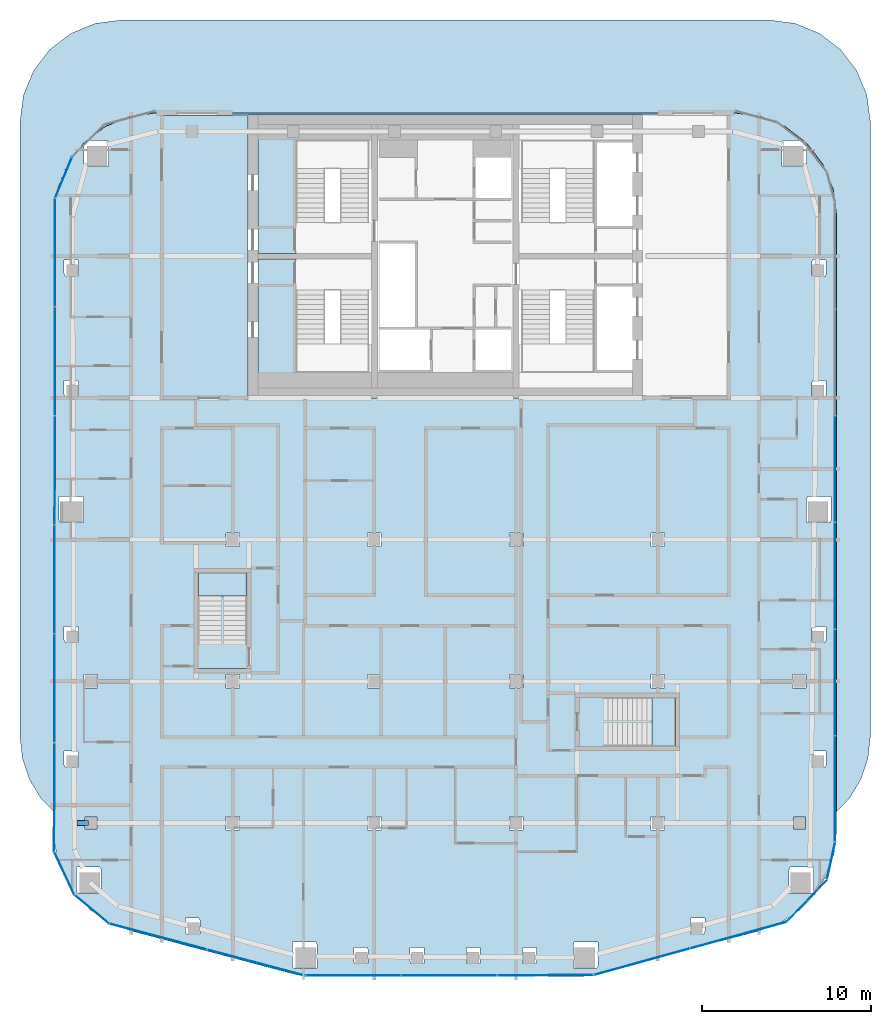
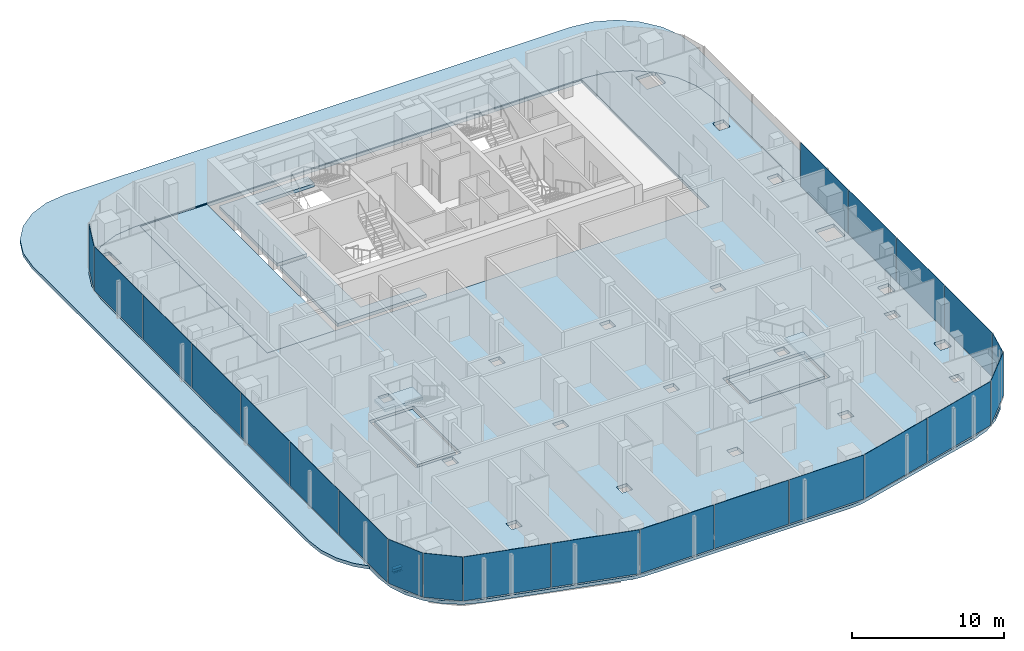
# One storey, part 12 of 21: 22 plates, 9 slabs, 1 beam, 12 elements without a shape of their own.
"""IFC4 building model written with IfcOpenShell, lengths in metres."""

from ifc_helpers import new_model, si_unit, direction, frame, origin, origin_2d, place, context, subcontext, project, spatial, polyline, rectangle, i_section, outline, extrude, material, layer, layer_set, material_profile, profile_set, type_object, element, aggregate, save


model = new_model("IFC4")

# Units and contexts
model_context = context("Model", 3, precision=1e-05, world=origin(), true_north=direction((0.0, 1.0)))
body_context = subcontext(model_context, "Body", "Model", "MODEL_VIEW")
ifc_project = project(units=[si_unit("LENGTHUNIT", "METRE"), si_unit("AREAUNIT", "SQUARE_METRE"), si_unit("VOLUMEUNIT", "CUBIC_METRE"), si_unit("PLANEANGLEUNIT", "RADIAN"), si_unit("MASSUNIT", "GRAM", prefix="KILO")], contexts=[model_context])

# Site, building, storey
site_placement = place(None, origin())
site = spatial("IfcSite", under=ifc_project, at=site_placement, CompositionType="ELEMENT")
building_placement = place(site_placement, origin())
building = spatial("IfcBuilding", under=site, at=building_placement, Name="Marenta Gate Hotel Tower", CompositionType="ELEMENT")
storey_placement = place(building_placement, frame((0.0, 0.0, 266.89990234375)))
storey = spatial("IfcBuildingStorey", under=building, at=storey_placement, Name="L61", CompositionType="ELEMENT", Elevation=266.89990234375)

# Beam
ifc_material_1 = material(Name="Steel S355", Category="steel")
ifc_material_profile = material_profile(ifc_material_1, i_section(OverallWidth=0.300048828125, OverallDepth=0.340087890625, WebThickness=0.011962890625, FlangeThickness=0.021484375, FilletRadius=0.027099609375, at=origin_2d()), Name="HEB 340")
ifc_profile_set = profile_set([ifc_material_profile], Name="Steel S355")
beam_type = type_object("IfcBeamType", Name="Girder HEB 340", PredefinedType="BEAM", material=ifc_profile_set)
beam_placement = place(storey_placement, frame((-21.828857421875, -25.199951171875, -0.429931640625), z_axis=(1.0, 0.0, 0.0), x_axis=(0.0, 1.0, 0.0)))
element("IfcBeam", 1, at=beam_placement, inside=storey, type_object=beam_type, Name="L61-GD-1", PredefinedType="BEAM", context=body_context, shape_type="SweptSolid", body=[
    extrude(i_section(OverallWidth=0.300048828125, OverallDepth=0.340087890625, WebThickness=0.011962890625, FlangeThickness=0.021484375, FilletRadius=0.027099609375, at=origin_2d()), origin(), (0.0, 0.0, 1.0), 0.67724609375),
])

# Slabs
ifc_material_2 = material(Name="Concrete C35", Category="concrete")
ifc_layer_1 = layer(ifc_material_2, 0.260009765625)
ifc_layer_set_1 = layer_set([ifc_layer_1], Name="Concrete C35")
slab_type_1 = type_object("IfcSlabType", Name="Concrete floor slab 260", PredefinedType="FLOOR", material=ifc_layer_set_1)
slab_1_placement = place(storey_placement, frame((0.0, 0.0, -0.260009765625)))
element("IfcSlab", 2, at=slab_1_placement, inside=storey, type_object=slab_type_1, Name="L61-SL-1", PredefinedType="FLOOR", context=body_context, shape_type="SweptSolid", body=[
    extrude(outline(polyline([(-21.013671875, -30.364013671875), (-21.935302734375, -29.404052734375), (-22.626953125, -28.26708984375), (-23.055419921875, -27.007080078125), (-23.199951171875, -25.689697265625), (-23.199951171875, 10.806640625), (-22.992919921875, 12.37890625), (-22.383544921875, 13.850341796875), (-21.417236328125, 15.109619140625), (-21.417236328125, 13.853271484375), (-21.36474609375, 13.71337890625), (-19.964599609375, 13.71337890625), (-19.964599609375, 15.11328125), (-20.01708984375, 15.253173828125), (-21.232421875, 15.253173828125), (-20.150390625, 16.08349609375), (-18.678955078125, 16.693115234375), (-17.1064453125, 16.89990234375), (17.1064453125, 16.89990234375), (18.678955078125, 16.693115234375), (20.150390625, 16.08349609375), (21.232421875, 15.253173828125), (20.01708984375, 15.253173828125), (19.964599609375, 15.11328125), (19.964599609375, 13.71337890625), (21.36474609375, 13.71337890625), (21.417236328125, 13.853271484375), (21.417236328125, 15.109619140625), (22.383544921875, 13.850341796875), (22.992919921875, 12.37890625), (23.199951171875, 10.806640625), (23.199951171875, -25.689697265625), (23.055419921875, -27.007080078125), (22.626953125, -28.26708984375), (21.935302734375, -29.404052734375), (21.013671875, -30.364013671875), (19.90576171875, -31.101318359375), (18.66943359375, -31.578857421875), (8.926513671875, -34.16357421875), (8.408447265625, -34.265869140625), (7.881591796875, -34.300048828125), (-7.881591796875, -34.300048828125), (-8.408447265625, -34.265869140625), (-8.926513671875, -34.16357421875), (-18.66943359375, -31.578857421875), (-19.90576171875, -31.101318359375), (-21.013671875, -30.364013671875)]), holes=[polyline([(-16.800048828125, 0.0), (16.800048828125, 0.0), (16.800048828125, 16.800048828125), (-16.800048828125, 16.800048828125), (-16.800048828125, 0.0)]), polyline([(-14.58837890625, -30.8212890625), (-15.388427734375, -30.8212890625), (-15.388427734375, -31.621337890625), (-15.3359375, -31.76123046875), (-14.535888671875, -31.76123046875), (-14.535888671875, -30.96142578125), (-14.58837890625, -30.8212890625)]), polyline([(-20.444580078125, -27.815185546875), (-21.8447265625, -27.815185546875), (-21.8447265625, -29.21533203125), (-21.792236328125, -29.355224609375), (-20.39208984375, -29.355224609375), (-20.39208984375, -27.955322265625), (-20.444580078125, -27.815185546875)]), polyline([(-20.64990234375, -24.85009765625), (-21.35009765625, -24.85009765625), (-21.35009765625, -25.550048828125), (-20.64990234375, -25.550048828125), (-20.64990234375, -24.85009765625)]), polyline([(-12.199951171875, -25.60009765625), (-12.199951171875, -24.800048828125), (-13.0, -24.800048828125), (-13.0, -25.60009765625), (-12.199951171875, -25.60009765625)]), polyline([(-21.729248046875, -21.07421875), (-21.78173828125, -20.93408203125), (-22.581787109375, -20.93408203125), (-22.581787109375, -21.734130859375), (-22.529052734375, -21.8740234375), (-21.729248046875, -21.8740234375), (-21.729248046875, -21.07421875)]), polyline([(-20.60009765625, -16.39990234375), (-21.39990234375, -16.39990234375), (-21.39990234375, -17.199951171875), (-20.60009765625, -17.199951171875), (-20.60009765625, -16.39990234375)]), polyline([(-12.199951171875, -17.199951171875), (-12.199951171875, -16.39990234375), (-13.0, -16.39990234375), (-13.0, -17.199951171875), (-12.199951171875, -17.199951171875)]), polyline([(-21.729248046875, -13.673095703125), (-21.78173828125, -13.533203125), (-22.581787109375, -13.533203125), (-22.581787109375, -14.3330078125), (-22.529052734375, -14.47314453125), (-21.729248046875, -14.47314453125), (-21.729248046875, -13.673095703125)]), polyline([(-12.199951171875, -8.0), (-13.0, -8.0), (-13.0, -8.800048828125), (-12.199951171875, -8.800048828125), (-12.199951171875, -8.0)]), polyline([(-21.42919921875, -5.97216796875), (-21.481689453125, -5.832275390625), (-22.881591796875, -5.832275390625), (-22.881591796875, -7.232177734375), (-22.8291015625, -7.372314453125), (-21.42919921875, -7.372314453125), (-21.42919921875, -5.97216796875)]), polyline([(-21.729248046875, 0.880859375), (-21.78173828125, 1.02099609375), (-22.581787109375, 1.02099609375), (-22.581787109375, 0.220947265625), (-22.529052734375, 0.0810546875), (-21.729248046875, 0.0810546875), (-21.729248046875, 0.880859375)]), polyline([(-21.78173828125, 8.174072265625), (-22.581787109375, 8.174072265625), (-22.581787109375, 7.374267578125), (-22.529052734375, 7.234130859375), (-21.729248046875, 7.234130859375), (-21.729248046875, 8.0341796875), (-21.78173828125, 8.174072265625)]), polyline([(-4.57763671875, -32.72216796875), (-4.609130859375, -32.582275390625), (-5.4091796875, -32.582275390625), (-5.4091796875, -33.38232421875), (-5.377685546875, -33.522216796875), (-4.57763671875, -33.522216796875), (-4.57763671875, -32.72216796875)]), polyline([(-1.269775390625, -32.582275390625), (-2.06982421875, -32.582275390625), (-2.06982421875, -33.38232421875), (-2.059326171875, -33.522216796875), (-1.25927734375, -33.522216796875), (-1.25927734375, -32.72216796875), (-1.269775390625, -32.582275390625)]), polyline([(2.06982421875, -33.38232421875), (2.06982421875, -32.582275390625), (1.269775390625, -32.582275390625), (1.25927734375, -32.72216796875), (1.25927734375, -33.522216796875), (2.059326171875, -33.522216796875), (2.06982421875, -33.38232421875)]), polyline([(5.4091796875, -33.38232421875), (5.4091796875, -32.582275390625), (4.609130859375, -32.582275390625), (4.57763671875, -32.72216796875), (4.57763671875, -33.522216796875), (5.377685546875, -33.522216796875), (5.4091796875, -33.38232421875)]), polyline([(-7.64794921875, -32.257080078125), (-9.0478515625, -32.257080078125), (-9.0478515625, -33.656982421875), (-8.995361328125, -33.797119140625), (-7.595458984375, -33.797119140625), (-7.595458984375, -32.39697265625), (-7.64794921875, -32.257080078125)]), polyline([(9.0478515625, -33.656982421875), (9.0478515625, -32.257080078125), (7.64794921875, -32.257080078125), (7.595458984375, -32.39697265625), (7.595458984375, -33.797119140625), (8.995361328125, -33.797119140625), (9.0478515625, -33.656982421875)]), polyline([(-3.800048828125, -25.60009765625), (-3.800048828125, -24.800048828125), (-4.60009765625, -24.800048828125), (-4.60009765625, -25.60009765625), (-3.800048828125, -25.60009765625)]), polyline([(4.60009765625, -24.800048828125), (3.800048828125, -24.800048828125), (3.800048828125, -25.60009765625), (4.60009765625, -25.60009765625), (4.60009765625, -24.800048828125)]), polyline([(-3.800048828125, -16.39990234375), (-4.60009765625, -16.39990234375), (-4.60009765625, -17.199951171875), (-3.800048828125, -17.199951171875), (-3.800048828125, -16.39990234375)]), polyline([(4.60009765625, -16.39990234375), (3.800048828125, -16.39990234375), (3.800048828125, -17.199951171875), (4.60009765625, -17.199951171875), (4.60009765625, -16.39990234375)]), polyline([(-3.800048828125, -8.800048828125), (-3.800048828125, -8.0), (-4.60009765625, -8.0), (-4.60009765625, -8.800048828125), (-3.800048828125, -8.800048828125)]), polyline([(4.60009765625, -8.800048828125), (4.60009765625, -8.0), (3.800048828125, -8.0), (3.800048828125, -8.800048828125), (4.60009765625, -8.800048828125)]), polyline([(15.388427734375, -30.8212890625), (14.58837890625, -30.8212890625), (14.535888671875, -30.96142578125), (14.535888671875, -31.76123046875), (15.3359375, -31.76123046875), (15.388427734375, -31.621337890625), (15.388427734375, -30.8212890625)]), polyline([(21.8447265625, -29.21533203125), (21.8447265625, -27.815185546875), (20.444580078125, -27.815185546875), (20.39208984375, -27.955322265625), (20.39208984375, -29.355224609375), (21.792236328125, -29.355224609375), (21.8447265625, -29.21533203125)]), polyline([(13.0, -25.60009765625), (13.0, -24.800048828125), (12.199951171875, -24.800048828125), (12.199951171875, -25.60009765625), (13.0, -25.60009765625)]), polyline([(21.35009765625, -24.85009765625), (20.64990234375, -24.85009765625), (20.64990234375, -25.550048828125), (21.35009765625, -25.550048828125), (21.35009765625, -24.85009765625)]), polyline([(22.581787109375, -20.93408203125), (21.78173828125, -20.93408203125), (21.729248046875, -21.07421875), (21.729248046875, -21.8740234375), (22.529052734375, -21.8740234375), (22.581787109375, -21.734130859375), (22.581787109375, -20.93408203125)]), polyline([(13.0, -16.39990234375), (12.199951171875, -16.39990234375), (12.199951171875, -17.199951171875), (13.0, -17.199951171875), (13.0, -16.39990234375)]), polyline([(21.39990234375, -17.199951171875), (21.39990234375, -16.39990234375), (20.60009765625, -16.39990234375), (20.60009765625, -17.199951171875), (21.39990234375, -17.199951171875)]), polyline([(22.581787109375, -14.3330078125), (22.581787109375, -13.533203125), (21.78173828125, -13.533203125), (21.729248046875, -13.673095703125), (21.729248046875, -14.47314453125), (22.529052734375, -14.47314453125), (22.581787109375, -14.3330078125)]), polyline([(13.0, -8.0), (12.199951171875, -8.0), (12.199951171875, -8.800048828125), (13.0, -8.800048828125), (13.0, -8.0)]), polyline([(22.881591796875, -7.232177734375), (22.881591796875, -5.832275390625), (21.481689453125, -5.832275390625), (21.42919921875, -5.97216796875), (21.42919921875, -7.372314453125), (22.8291015625, -7.372314453125), (22.881591796875, -7.232177734375)]), polyline([(22.581787109375, 0.220947265625), (22.581787109375, 1.02099609375), (21.78173828125, 1.02099609375), (21.729248046875, 0.880859375), (21.729248046875, 0.0810546875), (22.529052734375, 0.0810546875), (22.581787109375, 0.220947265625)]), polyline([(22.581787109375, 8.174072265625), (21.78173828125, 8.174072265625), (21.729248046875, 8.0341796875), (21.729248046875, 7.234130859375), (22.529052734375, 7.234130859375), (22.581787109375, 7.374267578125), (22.581787109375, 8.174072265625)]), polyline([(13.89990234375, -20.89990234375), (13.89990234375, -17.5), (7.699951171875, -17.5), (7.699951171875, -20.89990234375), (13.89990234375, -20.89990234375)]), polyline([(-11.5, -16.300048828125), (-11.5, -10.10009765625), (-14.89990234375, -10.10009765625), (-14.89990234375, -16.300048828125), (-11.5, -16.300048828125)])]), origin(), (0.0, 0.0, 1.0), 0.260009765625),
])
ifc_material_3 = material(Name="Concrete C40", Category="concrete")
ifc_layer_2 = layer(ifc_material_3, 0.260009765625)
ifc_layer_set_2 = layer_set([ifc_layer_2], Name="Concrete C40")
slab_type_2 = type_object("IfcSlabType", Name="Core floor slab 260", PredefinedType="FLOOR", material=ifc_layer_set_2)
slab_2_placement = place(storey_placement, frame((0.0, 0.0, -0.260009765625)))
element("IfcSlab", 3, at=slab_2_placement, inside=storey, type_object=slab_type_2, Name="L61-CF-5", PredefinedType="FLOOR", context=body_context, shape_type="SweptSolid", body=[
    extrude(outline(polyline([(-8.85009765625, 1.5), (-4.375, 1.5), (-4.375, 0.60009765625), (-11.10009765625, 0.60009765625), (-11.10009765625, 8.22509765625), (-8.85009765625, 8.22509765625), (-8.85009765625, 8.10009765625), (-8.85009765625, 6.39990234375), (-8.85009765625, 1.5)])), origin(), (0.0, 0.0, 1.0), 0.260009765625),
])
slab_3_placement = place(storey_placement, frame((0.0, 0.0, -0.260009765625)))
element("IfcSlab", 4, at=slab_3_placement, inside=storey, type_object=slab_type_2, Name="L61-CF-6", PredefinedType="FLOOR", context=body_context, shape_type="SweptSolid", body=[
    extrude(outline(polyline([(-8.85009765625, 15.300048828125), (-8.85009765625, 10.39990234375), (-8.85009765625, 8.699951171875), (-8.85009765625, 8.574951171875), (-11.10009765625, 8.574951171875), (-11.10009765625, 16.199951171875), (-4.375, 16.199951171875), (-4.375, 15.300048828125), (-8.85009765625, 15.300048828125)])), origin(), (0.0, 0.0, 1.0), 0.260009765625),
])
slab_4_placement = place(storey_placement, frame((0.0, 0.0, -0.260009765625)))
element("IfcSlab", 5, at=slab_4_placement, inside=storey, type_object=slab_type_2, Name="L61-CF-7", PredefinedType="FLOOR", context=body_context, shape_type="SweptSolid", body=[
    extrude(outline(polyline([(-16.800048828125, 0.0), (-16.800048828125, 16.75), (-11.699951171875, 16.75), (-11.699951171875, 0.0), (-16.800048828125, 0.0)])), origin(), (0.0, 0.0, 1.0), 0.260009765625),
])

# Curtain wall, plate
ifc_material_4 = material(Name="Tinted insulated glass in bronze anodised frame", Category="glass")
ifc_layer_3 = layer(ifc_material_4, 0.1201171875)
ifc_layer_set_3 = layer_set([ifc_layer_3], Name="Tinted insulated glass in bronze anodised frame")
curtain_wall_type = type_object("IfcCurtainWallType", Name="Tower unitised curtain wall CW1", PredefinedType="NOTDEFINED", material=ifc_layer_set_3)
curtain_wall_1_placement = place(storey_placement, origin())
curtain_wall_1 = element("IfcCurtainWall", 6, at=curtain_wall_1_placement, inside=storey, type_object=curtain_wall_type, Name="CW1 run G02", PredefinedType="NOTDEFINED")
ifc_material_5 = material(Name="Tinted insulated glass", Category="glass")
ifc_layer_4 = layer(ifc_material_5, 0.028076171875)
ifc_layer_set_4 = layer_set([ifc_layer_4], Name="Tinted insulated glass")
plate_type = type_object("IfcPlateType", Name="Glass panel CW1 28 mm tinted insulated unit", PredefinedType="CURTAIN_PANEL", material=ifc_layer_set_4)
plate_1_placement = place(storey_placement, frame((-22.619384765625, 13.055908203125, 0.06005859375), z_axis=(0.0, 0.0, 1.0), x_axis=(-0.382666772044, -0.923886433266, 0.0)))
plate_1 = element("IfcPlate", 7, at=plate_1_placement, type_object=plate_type, Name="CW1 panel 1.1", PredefinedType="CURTAIN_PANEL", context=body_context, shape_type="SweptSolid", body=[
    extrude(rectangle(XDim=2.57568359375, YDim=0.028076171875, at=origin_2d()), origin(), (0.0, 0.0, 1.0), 3.5400390625),
])
aggregate(curtain_wall_1, [plate_1])

# Curtain wall, plates
curtain_wall_2_placement = place(storey_placement, origin())
curtain_wall_2 = element("IfcCurtainWall", 8, at=curtain_wall_2_placement, inside=storey, type_object=curtain_wall_type, Name="CW1 run G03", PredefinedType="NOTDEFINED")
plate_2_placement = place(storey_placement, frame((-23.117431640625, 8.62109375, 0.06005859375), z_axis=(0.0, 0.0, 1.0), x_axis=(-0.001566045546, -0.99999877375, 0.0)))
plate_2 = element("IfcPlate", 9, at=plate_2_placement, type_object=plate_type, Name="CW1 panel 1.1", PredefinedType="CURTAIN_PANEL", context=body_context, shape_type="SweptSolid", body=[
    extrude(rectangle(XDim=6.3701171875, YDim=0.028076171875, at=origin_2d()), origin(), (0.0, 0.0, 1.0), 3.5400390625),
])
plate_3_placement = place(storey_placement, frame((-23.12744140625, 2.17626953125, 0.06005859375), z_axis=(0.0, 0.0, 1.0), x_axis=(-0.001566045546, -0.99999877375, 0.0)))
plate_3 = element("IfcPlate", 10, at=plate_3_placement, type_object=plate_type, Name="CW1 panel 2.1", PredefinedType="CURTAIN_PANEL", context=body_context, shape_type="SweptSolid", body=[
    extrude(rectangle(XDim=6.39990234375, YDim=0.028076171875, at=origin_2d()), origin(), (0.0, 0.0, 1.0), 3.5400390625),
])
plate_4_placement = place(storey_placement, frame((-23.1376953125, -4.28369140625, 0.06005859375), z_axis=(0.0, 0.0, 1.0), x_axis=(-0.001566045546, -0.99999877375, 0.0)))
plate_4 = element("IfcPlate", 11, at=plate_4_placement, type_object=plate_type, Name="CW1 panel 3.1", PredefinedType="CURTAIN_PANEL", context=body_context, shape_type="SweptSolid", body=[
    extrude(rectangle(XDim=6.39990234375, YDim=0.028076171875, at=origin_2d()), origin(), (0.0, 0.0, 1.0), 3.5400390625),
])
plate_5_placement = place(storey_placement, frame((-23.147705078125, -10.743896484375, 0.06005859375), z_axis=(0.0, 0.0, 1.0), x_axis=(-0.001566045546, -0.99999877375, 0.0)))
plate_5 = element("IfcPlate", 12, at=plate_5_placement, type_object=plate_type, Name="CW1 panel 4.1", PredefinedType="CURTAIN_PANEL", context=body_context, shape_type="SweptSolid", body=[
    extrude(rectangle(XDim=6.39990234375, YDim=0.028076171875, at=origin_2d()), origin(), (0.0, 0.0, 1.0), 3.5400390625),
])
plate_6_placement = place(storey_placement, frame((-23.15771484375, -17.203857421875, 0.06005859375), z_axis=(0.0, 0.0, 1.0), x_axis=(-0.001566045546, -0.99999877375, 0.0)))
plate_6 = element("IfcPlate", 13, at=plate_6_placement, type_object=plate_type, Name="CW1 panel 5.1", PredefinedType="CURTAIN_PANEL", context=body_context, shape_type="SweptSolid", body=[
    extrude(rectangle(XDim=6.39990234375, YDim=0.028076171875, at=origin_2d()), origin(), (0.0, 0.0, 1.0), 3.5400390625),
])
plate_7_placement = place(storey_placement, frame((-23.16796875, -23.6787109375, 0.06005859375), z_axis=(0.0, 0.0, 1.0), x_axis=(-0.001566045546, -0.99999877375, 0.0)))
plate_7 = element("IfcPlate", 14, at=plate_7_placement, type_object=plate_type, Name="CW1 panel 6.1", PredefinedType="CURTAIN_PANEL", context=body_context, shape_type="SweptSolid", body=[
    extrude(rectangle(XDim=6.429931640625, YDim=0.028076171875, at=origin_2d()), origin(), (0.0, 0.0, 1.0), 3.5400390625),
])
aggregate(curtain_wall_2, [plate_2, plate_3, plate_4, plate_5, plate_6, plate_7])

# Curtain wall, plate
curtain_wall_3_placement = place(storey_placement, origin())
curtain_wall_3 = element("IfcCurtainWall", 15, at=curtain_wall_3_placement, inside=storey, type_object=curtain_wall_type, Name="CW1 run G04", PredefinedType="NOTDEFINED")
plate_8_placement = place(storey_placement, frame((-22.565185546875, -28.1943359375, 0.06005859375), z_axis=(0.0, 0.0, 1.0), x_axis=(0.42333719762, -0.905972194447, 0.0)))
plate_8 = element("IfcPlate", 16, at=plate_8_placement, type_object=plate_type, Name="CW1 panel 1.1", PredefinedType="CURTAIN_PANEL", context=body_context, shape_type="SweptSolid", body=[
    extrude(rectangle(XDim=2.751220703125, YDim=0.028076171875, at=origin_2d()), origin(), (0.0, 0.0, 1.0), 3.5400390625),
])
aggregate(curtain_wall_3, [plate_8])

curtain_wall_4_placement = place(storey_placement, origin())
curtain_wall_4 = element("IfcCurtainWall", 17, at=curtain_wall_4_placement, inside=storey, type_object=curtain_wall_type, Name="CW1 run G05", PredefinedType="NOTDEFINED")
plate_9_placement = place(storey_placement, frame((-20.93603515625, -30.316162109375, 0.06005859375), z_axis=(0.0, 0.0, 1.0), x_axis=(0.767102345594, -0.641524739495, 0.0)))
plate_9 = element("IfcPlate", 18, at=plate_9_placement, type_object=plate_type, Name="CW1 panel 1.1", PredefinedType="CURTAIN_PANEL", context=body_context, shape_type="SweptSolid", body=[
    extrude(rectangle(XDim=2.609375, YDim=0.028076171875, at=origin_2d()), origin(), (0.0, 0.0, 1.0), 3.5400390625),
])
aggregate(curtain_wall_4, [plate_9])

# Curtain wall, plates
curtain_wall_5_placement = place(storey_placement, origin())
curtain_wall_5 = element("IfcCurtainWall", 19, at=curtain_wall_5_placement, inside=storey, type_object=curtain_wall_type, Name="CW1 run G06", PredefinedType="NOTDEFINED")
plate_10_placement = place(storey_placement, frame((-17.013427734375, -31.930419921875, 0.06005859375), z_axis=(0.0, 0.0, 1.0), x_axis=(0.966375890775, -0.257133501765, 0.0)))
plate_10 = element("IfcPlate", 20, at=plate_10_placement, type_object=plate_type, Name="CW1 panel 1.1", PredefinedType="CURTAIN_PANEL", context=body_context, shape_type="SweptSolid", body=[
    extrude(rectangle(XDim=5.927001953125, YDim=0.028076171875, at=origin_2d()), origin(), (0.0, 0.0, 1.0), 3.5400390625),
])
plate_11_placement = place(storey_placement, frame((-11.198974609375, -33.477783203125, 0.06005859375), z_axis=(0.0, 0.0, 1.0), x_axis=(0.966375890775, -0.257133501765, 0.0)))
plate_11 = element("IfcPlate", 21, at=plate_11_placement, type_object=plate_type, Name="CW1 panel 2.1", PredefinedType="CURTAIN_PANEL", context=body_context, shape_type="SweptSolid", body=[
    extrude(rectangle(XDim=5.98681640625, YDim=0.028076171875, at=origin_2d()), origin(), (0.0, 0.0, 1.0), 3.5400390625),
])
aggregate(curtain_wall_5, [plate_10, plate_11])

curtain_wall_6_placement = place(storey_placement, origin())
curtain_wall_6 = element("IfcCurtainWall", 22, at=curtain_wall_6_placement, inside=storey, type_object=curtain_wall_type, Name="CW1 run G07", PredefinedType="NOTDEFINED")
plate_12_placement = place(storey_placement, frame((-5.4443359375, -34.241455078125, 0.06005859375), z_axis=(0.0, 0.0, 1.0), x_axis=(0.99999786459, 0.002066595127, 0.0)))
plate_12 = element("IfcPlate", 23, at=plate_12_placement, type_object=plate_type, Name="CW1 panel 1.1", PredefinedType="CURTAIN_PANEL", context=body_context, shape_type="SweptSolid", body=[
    extrude(rectangle(XDim=5.603759765625, YDim=0.028076171875, at=origin_2d()), origin(), (0.0, 0.0, 1.0), 3.5400390625),
])
plate_13_placement = place(storey_placement, frame((0.234619140625, -34.229736328125, 0.06005859375), z_axis=(0.0, 0.0, 1.0), x_axis=(0.99999786459, 0.002066595127, 0.0)))
plate_13 = element("IfcPlate", 24, at=plate_13_placement, type_object=plate_type, Name="CW1 panel 2.1", PredefinedType="CURTAIN_PANEL", context=body_context, shape_type="SweptSolid", body=[
    extrude(rectangle(XDim=5.6337890625, YDim=0.028076171875, at=origin_2d()), origin(), (0.0, 0.0, 1.0), 3.5400390625),
])
plate_14_placement = place(storey_placement, frame((5.943115234375, -34.218017578125, 0.06005859375), z_axis=(0.0, 0.0, 1.0), x_axis=(0.99999786459, 0.002066595127, 0.0)))
plate_14 = element("IfcPlate", 25, at=plate_14_placement, type_object=plate_type, Name="CW1 panel 3.1", PredefinedType="CURTAIN_PANEL", context=body_context, shape_type="SweptSolid", body=[
    extrude(rectangle(XDim=5.663818359375, YDim=0.028076171875, at=origin_2d()), origin(), (0.0, 0.0, 1.0), 3.5400390625),
])
aggregate(curtain_wall_6, [plate_12, plate_13, plate_14])

curtain_wall_7_placement = place(storey_placement, origin())
curtain_wall_7 = element("IfcCurtainWall", 26, at=curtain_wall_7_placement, inside=storey, type_object=curtain_wall_type, Name="CW1 run G08", PredefinedType="NOTDEFINED")
plate_15_placement = place(storey_placement, frame((11.652099609375, -33.42041015625, 0.06005859375), z_axis=(0.0, 0.0, 1.0), x_axis=(0.964168083707, 0.265292115151, 0.0)))
plate_15 = element("IfcPlate", 27, at=plate_15_placement, type_object=plate_type, Name="CW1 panel 1.1", PredefinedType="CURTAIN_PANEL", context=body_context, shape_type="SweptSolid", body=[
    extrude(rectangle(XDim=5.84765625, YDim=0.028076171875, at=origin_2d()), origin(), (0.0, 0.0, 1.0), 3.5400390625),
])
plate_16_placement = place(storey_placement, frame((17.376708984375, -31.84521484375, 0.06005859375), z_axis=(0.0, 0.0, 1.0), x_axis=(0.964168083707, 0.265292115151, 0.0)))
plate_16 = element("IfcPlate", 28, at=plate_16_placement, type_object=plate_type, Name="CW1 panel 2.1", PredefinedType="CURTAIN_PANEL", context=body_context, shape_type="SweptSolid", body=[
    extrude(rectangle(XDim=5.90771484375, YDim=0.028076171875, at=origin_2d()), origin(), (0.0, 0.0, 1.0), 3.5400390625),
])
aggregate(curtain_wall_7, [plate_15, plate_16])

# Curtain wall, plate
curtain_wall_8_placement = place(storey_placement, origin())
curtain_wall_8 = element("IfcCurtainWall", 29, at=curtain_wall_8_placement, inside=storey, type_object=curtain_wall_type, Name="CW1 run G09", PredefinedType="NOTDEFINED")
plate_17_placement = place(storey_placement, frame((21.443359375, -29.79248046875, 0.06005859375), z_axis=(0.0, 0.0, 1.0), x_axis=(0.692548076564, 0.72137172224, 0.0)))
plate_17 = element("IfcPlate", 30, at=plate_17_placement, type_object=plate_type, Name="CW1 panel 1.1", PredefinedType="CURTAIN_PANEL", context=body_context, shape_type="SweptSolid", body=[
    extrude(rectangle(XDim=3.39892578125, YDim=0.028076171875, at=origin_2d()), origin(), (0.0, 0.0, 1.0), 3.5400390625),
])
aggregate(curtain_wall_8, [plate_17])

curtain_wall_9_placement = place(storey_placement, origin())
curtain_wall_9 = element("IfcCurtainWall", 31, at=curtain_wall_9_placement, inside=storey, type_object=curtain_wall_type, Name="CW1 run G10", PredefinedType="NOTDEFINED")
plate_18_placement = place(storey_placement, frame((22.873779296875, -27.42578125, 0.06005859375), z_axis=(0.0, 0.0, 1.0), x_axis=(0.216842096529, 0.97620669183, 0.0)))
plate_18 = element("IfcPlate", 32, at=plate_18_placement, type_object=plate_type, Name="CW1 panel 1.1", PredefinedType="CURTAIN_PANEL", context=body_context, shape_type="SweptSolid", body=[
    extrude(rectangle(XDim=2.216796875, YDim=0.028076171875, at=origin_2d()), origin(), (0.0, 0.0, 1.0), 3.5400390625),
])
aggregate(curtain_wall_9, [plate_18])

# Curtain wall, plates
curtain_wall_10_placement = place(storey_placement, origin())
curtain_wall_10 = element("IfcCurtainWall", 33, at=curtain_wall_10_placement, inside=storey, type_object=curtain_wall_type, Name="CW1 run G11", PredefinedType="NOTDEFINED")
plate_19_placement = place(storey_placement, frame((23.114013671875, -23.16748046875, 0.06005859375), z_axis=(0.0, 0.0, 1.0), x_axis=(0.0, 1.0, 0.0)))
plate_19 = element("IfcPlate", 34, at=plate_19_placement, type_object=plate_type, Name="CW1 panel 1.1", PredefinedType="CURTAIN_PANEL", context=body_context, shape_type="SweptSolid", body=[
    extrude(rectangle(XDim=6.232666015625, YDim=0.028076171875, at=origin_2d()), origin(), (0.0, 0.0, 1.0), 3.5400390625),
])
plate_20_placement = place(storey_placement, frame((23.114013671875, -16.85986328125, 0.06005859375), z_axis=(0.0, 0.0, 1.0), x_axis=(0.0, 1.0, 0.0)))
plate_20 = element("IfcPlate", 35, at=plate_20_placement, type_object=plate_type, Name="CW1 panel 2.1", PredefinedType="CURTAIN_PANEL", context=body_context, shape_type="SweptSolid", body=[
    extrude(rectangle(XDim=6.2626953125, YDim=0.028076171875, at=origin_2d()), origin(), (0.0, 0.0, 1.0), 3.5400390625),
])
plate_21_placement = place(storey_placement, frame((23.114013671875, -10.537353515625, 0.06005859375), z_axis=(0.0, 0.0, 1.0), x_axis=(0.0, 1.0, 0.0)))
plate_21 = element("IfcPlate", 36, at=plate_21_placement, type_object=plate_type, Name="CW1 panel 3.1", PredefinedType="CURTAIN_PANEL", context=body_context, shape_type="SweptSolid", body=[
    extrude(rectangle(XDim=6.2626953125, YDim=0.028076171875, at=origin_2d()), origin(), (0.0, 0.0, 1.0), 3.5400390625),
])
plate_22_placement = place(storey_placement, frame((23.114013671875, -4.214599609375, 0.06005859375), z_axis=(0.0, 0.0, 1.0), x_axis=(0.0, 1.0, 0.0)))
plate_22 = element("IfcPlate", 37, at=plate_22_placement, type_object=plate_type, Name="CW1 panel 4.1", PredefinedType="CURTAIN_PANEL", context=body_context, shape_type="SweptSolid", body=[
    extrude(rectangle(XDim=6.2626953125, YDim=0.028076171875, at=origin_2d()), origin(), (0.0, 0.0, 1.0), 3.5400390625),
])
aggregate(curtain_wall_10, [plate_19, plate_20, plate_21, plate_22])

# Stair, slab
ifc_material_6 = material(Name="Concrete C40", Category="concrete")
stair_type = type_object("IfcStairType", Name="Remote exit stair 1400 wide", PredefinedType="HALF_TURN_STAIR", material=ifc_material_6)
stair_1_placement = place(storey_placement, origin())
stair_1 = element("IfcStair", 38, at=stair_1_placement, inside=storey, type_object=stair_type, Name="Exit stair RS-Z4-1", PredefinedType="HALF_TURN_STAIR")
ifc_material_7 = material(Name="Concrete C40", Category="concrete")
ifc_layer_5 = layer(ifc_material_7, 0.199951171875)
ifc_layer_set_5 = layer_set([ifc_layer_5], Name="Concrete C40")
slab_type_3 = type_object("IfcSlabType", Name="Remote stair landing 200", PredefinedType="LANDING", material=ifc_layer_set_5)
slab_5_placement = place(storey_placement, frame((0.0, 0.0, 1.60009765625)))
slab_5 = element("IfcSlab", 39, at=slab_5_placement, type_object=slab_type_3, Name="RL-200 RS-Z4-1 landing 1", PredefinedType="LANDING", context=body_context, shape_type="SweptSolid", body=[
    extrude(outline(polyline([(12.25, -20.64990234375), (13.64990234375, -20.64990234375), (13.64990234375, -17.75), (12.25, -17.75), (12.25, -20.64990234375)])), origin(), (0.0, 0.0, 1.0), 0.199951171875),
])
aggregate(stair_1, [slab_5])

stair_2_placement = place(storey_placement, origin())
stair_2 = element("IfcStair", 40, at=stair_2_placement, inside=storey, type_object=stair_type, Name="Exit stair RS-Z4-2", PredefinedType="HALF_TURN_STAIR")
slab_6_placement = place(storey_placement, frame((0.0, 0.0, 1.60009765625)))
slab_6 = element("IfcSlab", 41, at=slab_6_placement, type_object=slab_type_3, Name="RL-200 RS-Z4-2 landing 1", PredefinedType="LANDING", context=body_context, shape_type="SweptSolid", body=[
    extrude(outline(polyline([(-14.64990234375, -11.75), (-11.75, -11.75), (-11.75, -10.35009765625), (-14.64990234375, -10.35009765625), (-14.64990234375, -11.75)])), origin(), (0.0, 0.0, 1.0), 0.199951171875),
])
aggregate(stair_2, [slab_6])

# Slabs
ifc_material_8 = material(Name="Concrete C40", Category="concrete")
ifc_layer_6 = layer(ifc_material_8, 0.300048828125)
ifc_layer_set_6 = layer_set([ifc_layer_6], Name="Concrete C40")
slab_type_4 = type_object("IfcSlabType", Name="Stair floor landing slab 300", PredefinedType="FLOOR", material=ifc_layer_set_6)
slab_7_placement = place(storey_placement, frame((0.0, 0.0, -0.260009765625)))
element("IfcSlab", 42, at=slab_7_placement, inside=storey, type_object=slab_type_4, Name="L61-RS-Z4-1-CL", PredefinedType="FLOOR", context=body_context, shape_type="SweptSolid", body=[
    extrude(outline(polyline([(13.64990234375, -20.64990234375), (13.64990234375, -17.75), (7.949951171875, -17.75), (7.949951171875, -20.64990234375), (13.64990234375, -20.64990234375)])), origin(), (0.0, 0.0, 1.0), 0.260009765625),
])
slab_8_placement = place(storey_placement, frame((0.0, 0.0, -0.260009765625)))
element("IfcSlab", 43, at=slab_8_placement, inside=storey, type_object=slab_type_4, Name="L61-RS-Z4-2-CL", PredefinedType="FLOOR", context=body_context, shape_type="SweptSolid", body=[
    extrude(outline(polyline([(-11.75, -16.050048828125), (-11.75, -10.35009765625), (-14.64990234375, -10.35009765625), (-14.64990234375, -16.050048828125), (-11.75, -16.050048828125)])), origin(), (0.0, 0.0, 1.0), 0.260009765625),
])
ifc_material_9 = material(Name="Concrete C35", Category="concrete")
ifc_layer_7 = layer(ifc_material_9, 0.260009765625)
ifc_layer_set_7 = layer_set([ifc_layer_7], Name="Concrete C35")
slab_type_5 = type_object("IfcSlabType", Name="Terrace roof slab 260", PredefinedType="ROOF", material=ifc_layer_set_7)
slab_9_placement = place(storey_placement, frame((0.0, 0.0, -0.260009765625)))
element("IfcSlab", 44, at=slab_9_placement, inside=storey, type_object=slab_type_5, Name="L60-SL-T1", PredefinedType="ROOF", context=body_context, shape_type="SweptSolid", body=[
    extrude(outline(polyline([(-25.199951171875, -20.084228515625), (-25.199951171875, 16.39990234375), (-24.99560546875, 17.952880859375), (-24.396240234375, 19.39990234375), (-23.442626953125, 20.642578125), (-22.199951171875, 21.59619140625), (-20.7529296875, 22.195556640625), (-19.199951171875, 22.39990234375), (19.199951171875, 22.39990234375), (20.7529296875, 22.195556640625), (22.199951171875, 21.59619140625), (23.442626953125, 20.642578125), (24.396240234375, 19.39990234375), (24.99560546875, 17.952880859375), (25.199951171875, 16.39990234375), (25.199951171875, -20.084228515625), (25.05712890625, -21.38525390625), (24.6357421875, -22.62451171875), (23.95556640625, -23.74267578125), (23.199951171875, -24.52978515625), (23.199951171875, 10.806640625), (22.992919921875, 12.37890625), (22.383544921875, 13.850341796875), (21.413818359375, 15.114013671875), (20.150390625, 16.08349609375), (18.678955078125, 16.693115234375), (17.1064453125, 16.89990234375), (-17.1064453125, 16.89990234375), (-18.678955078125, 16.693115234375), (-20.150390625, 16.08349609375), (-21.413818359375, 15.114013671875), (-22.383544921875, 13.850341796875), (-22.992919921875, 12.37890625), (-23.199951171875, 10.806640625), (-23.199951171875, -24.52978515625), (-23.95556640625, -23.74267578125), (-24.6357421875, -22.62451171875), (-25.05712890625, -21.38525390625), (-25.199951171875, -20.084228515625)])), origin(), (0.0, 0.0, 1.0), 0.260009765625),
])

save(model, "model.ifc")
